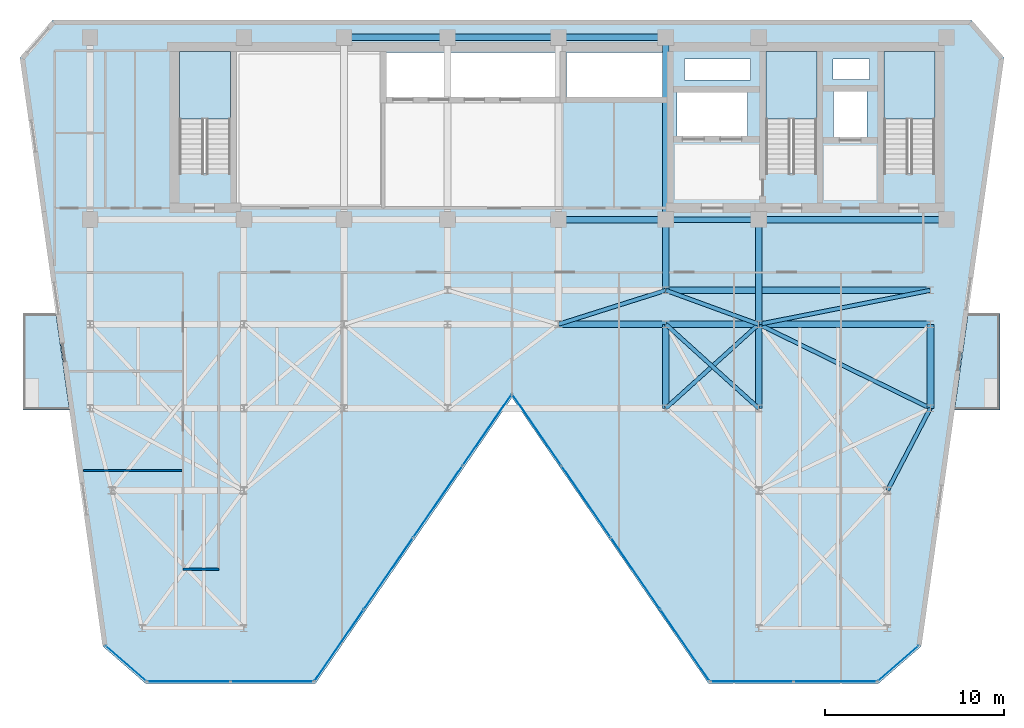
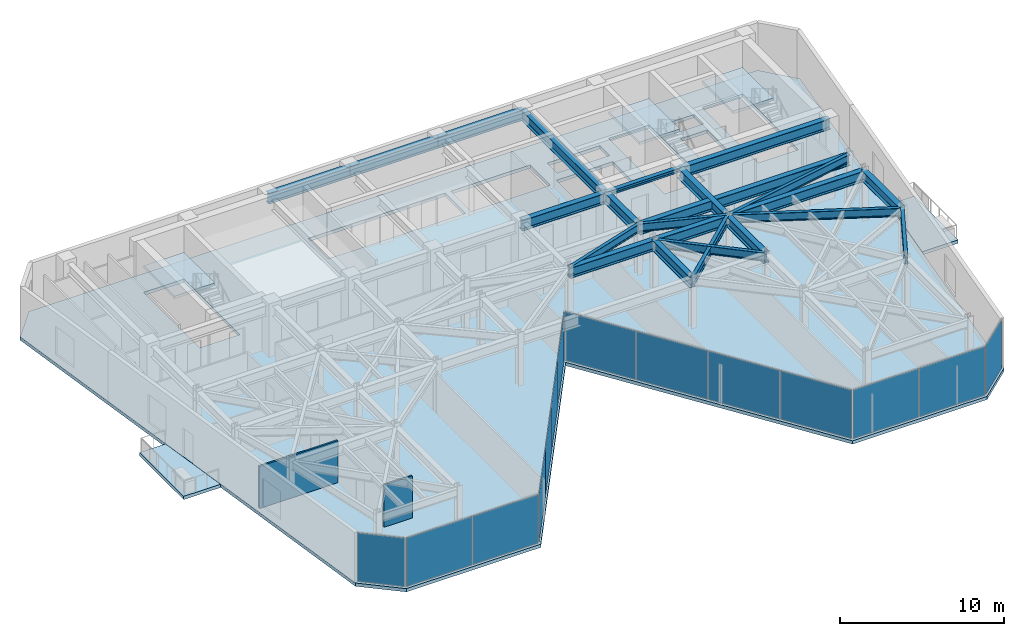
# One storey, part 15 of 21: 23 beams, 14 plates, 6 slabs, 2 walls, 9 elements without a shape of their own.
"""IFC4 building model written with IfcOpenShell, lengths in metres."""

from ifc_helpers import new_model, si_unit, direction, frame, frame_2d, origin, origin_2d, place, context, subcontext, project, spatial, polyline, rectangle, i_section, outline, extrude, material, layer, layer_set, material_profile, profile_set, type_object, element, aggregate, save


model = new_model("IFC4")

# Units and contexts
model_context = context("Model", 3, precision=1e-05, world=origin(), true_north=direction((0.0, 1.0)))
body_context = subcontext(model_context, "Body", "Model", "MODEL_VIEW")
ifc_project = project(units=[si_unit("LENGTHUNIT", "METRE"), si_unit("AREAUNIT", "SQUARE_METRE"), si_unit("VOLUMEUNIT", "CUBIC_METRE"), si_unit("PLANEANGLEUNIT", "RADIAN"), si_unit("MASSUNIT", "GRAM", prefix="KILO")], contexts=[model_context])

# Site, building, storey
site_placement = place(None, origin())
site = spatial("IfcSite", under=ifc_project, at=site_placement, CompositionType="ELEMENT")
building_placement = place(site_placement, origin())
building = spatial("IfcBuilding", under=site, at=building_placement, Name="Kravanh Interchange Tower", CompositionType="ELEMENT")
storey_placement = place(building_placement, frame((0.0, 0.0, 216.5)))
storey = spatial("IfcBuildingStorey", under=building, at=storey_placement, Name="L52", CompositionType="ELEMENT", Elevation=216.5)

# Beams
ifc_material_1 = material(Name="Structural Steel S355", Category="steel")
ifc_material_profile_1 = material_profile(ifc_material_1, i_section(OverallWidth=0.381103515625, OverallDepth=0.77294921875, WebThickness=0.0166015625, FlangeThickness=0.027099609375, FilletRadius=0.02490234375, at=origin_2d()), Name="W30X173")
ifc_profile_set_1 = profile_set([ifc_material_profile_1], Name="Structural Steel S355")
beam_type_1 = type_object("IfcBeamType", Name="Floor Beam W30X173 Structural Steel S355", PredefinedType="BEAM", material=ifc_profile_set_1)
beam_1_placement = place(storey_placement, frame((66.5, 37.35009765625, 3.3583984375), z_axis=(-1.0, 0.0, 0.0), x_axis=(0.0, -1.0, 0.0)))
element("IfcBeam", 1, at=beam_1_placement, inside=storey, type_object=beam_type_1, Name="L52 Primary Floor Girder 5", PredefinedType="BEAM", context=body_context, shape_type="SweptSolid", body=[
    extrude(i_section(OverallWidth=0.381103515625, OverallDepth=0.77294921875, WebThickness=0.0166015625, FlangeThickness=0.027099609375, FilletRadius=0.02490234375, at=origin_2d()), origin(), (0.0, 0.0, 1.0), 10.5),
])
beam_2_placement = place(storey_placement, frame((56.0, 37.35009765625, 3.3583984375), z_axis=(0.0, -1.0, 0.0), x_axis=(1.0, 0.0, 0.0)))
element("IfcBeam", 2, at=beam_2_placement, inside=storey, type_object=beam_type_1, Name="L52 Primary Floor Girder 7", PredefinedType="BEAM", context=body_context, shape_type="SweptSolid", body=[
    extrude(i_section(OverallWidth=0.381103515625, OverallDepth=0.77294921875, WebThickness=0.0166015625, FlangeThickness=0.027099609375, FilletRadius=0.02490234375, at=origin_2d()), origin(), (0.0, 0.0, 1.0), 5.85009765625),
])
beam_3_placement = place(storey_placement, frame((50.800048828125, 47.550048828125, 3.3583984375), z_axis=(-1.0, 0.0, 0.0), x_axis=(0.0, -1.0, 0.0)))
element("IfcBeam", 3, at=beam_3_placement, inside=storey, type_object=beam_type_1, Name="L52 Primary Floor Girder 8", PredefinedType="BEAM", context=body_context, shape_type="SweptSolid", body=[
    extrude(i_section(OverallWidth=0.381103515625, OverallDepth=0.77294921875, WebThickness=0.0166015625, FlangeThickness=0.027099609375, FilletRadius=0.02490234375, at=origin_2d()), origin(), (0.0, 0.0, 1.0), 6.0),
])
beam_4_placement = place(storey_placement, frame((50.800048828125, 47.550048828125, 3.3583984375), z_axis=(0.0, -1.0, 0.0), x_axis=(1.0, 0.0, 0.0)))
element("IfcBeam", 4, at=beam_4_placement, inside=storey, type_object=beam_type_1, Name="L52 Primary Floor Girder 9", PredefinedType="BEAM", context=body_context, shape_type="SweptSolid", body=[
    extrude(i_section(OverallWidth=0.381103515625, OverallDepth=0.77294921875, WebThickness=0.0166015625, FlangeThickness=0.027099609375, FilletRadius=0.02490234375, at=origin_2d()), origin(), (0.0, 0.0, 1.0), 10.199951171875),
])
beam_5_placement = place(storey_placement, frame((50.800048828125, 37.35009765625, 3.3583984375), z_axis=(0.0, -1.0, 0.0), x_axis=(1.0, 0.0, 0.0)))
element("IfcBeam", 5, at=beam_5_placement, inside=storey, type_object=beam_type_1, Name="L52 Primary Floor Girder 10", PredefinedType="BEAM", context=body_context, shape_type="SweptSolid", body=[
    extrude(i_section(OverallWidth=0.381103515625, OverallDepth=0.77294921875, WebThickness=0.0166015625, FlangeThickness=0.027099609375, FilletRadius=0.02490234375, at=origin_2d()), origin(), (0.0, 0.0, 1.0), 3.9501953125),
])
beam_6_placement = place(storey_placement, frame((50.800048828125, 37.35009765625, 3.3583984375), z_axis=(-1.0, 0.0, 0.0), x_axis=(0.0, -1.0, 0.0)))
element("IfcBeam", 6, at=beam_6_placement, inside=storey, type_object=beam_type_1, Name="L52 Primary Floor Girder 11", PredefinedType="BEAM", context=body_context, shape_type="SweptSolid", body=[
    extrude(i_section(OverallWidth=0.381103515625, OverallDepth=0.77294921875, WebThickness=0.0166015625, FlangeThickness=0.027099609375, FilletRadius=0.02490234375, at=origin_2d()), origin(), (0.0, 0.0, 1.0), 6.0),
])
beam_7_placement = place(storey_placement, frame((44.800048828125, 47.550048828125, 3.3583984375), z_axis=(-1.0, 0.0, 0.0), x_axis=(0.0, -1.0, 0.0)))
element("IfcBeam", 7, at=beam_7_placement, inside=storey, type_object=beam_type_1, Name="L52 Primary Floor Girder 15", PredefinedType="BEAM", context=body_context, shape_type="SweptSolid", body=[
    extrude(i_section(OverallWidth=0.381103515625, OverallDepth=0.77294921875, WebThickness=0.0166015625, FlangeThickness=0.027099609375, FilletRadius=0.02490234375, at=origin_2d()), origin(), (0.0, 0.0, 1.0), 6.199951171875),
])
beam_8_placement = place(storey_placement, frame((38.60009765625, 47.550048828125, 3.3583984375), z_axis=(-1.0, 0.0, 0.0), x_axis=(0.0, -1.0, 0.0)))
element("IfcBeam", 8, at=beam_8_placement, inside=storey, type_object=beam_type_1, Name="L52 Primary Floor Girder 19", PredefinedType="BEAM", context=body_context, shape_type="SweptSolid", body=[
    extrude(i_section(OverallWidth=0.381103515625, OverallDepth=0.77294921875, WebThickness=0.0166015625, FlangeThickness=0.027099609375, FilletRadius=0.02490234375, at=origin_2d()), origin(), (0.0, 0.0, 1.0), 5.800048828125),
])
for number, where, z_axis, x_axis, name in (
    (9, (50.800048828125, 26.800048828125, 3.3583984375), (0.0, 1.0, 0.0), (-1.0, 0.0, 0.0), "L52 Primary Floor Girder 49"),
    (10, (56.0, 26.800048828125, 3.3583984375), (0.0, 1.0, 0.0), (-1.0, 0.0, 0.0), "L52 Primary Floor Girder 54"),
    (11, (65.60009765625, 26.800048828125, 3.3583984375), (0.0, 1.0, 0.0), (-1.0, 0.0, 0.0), "L52 Primary Floor Girder 57"),
):
    element("IfcBeam", number, at=place(storey_placement, frame(where, z_axis=z_axis, x_axis=x_axis)), inside=storey, type_object=beam_type_1, Name=name, PredefinedType="BEAM", context=body_context, shape_type="SweptSolid", body=[
        extrude(i_section(OverallWidth=0.381103515625, OverallDepth=0.77294921875, WebThickness=0.0166015625, FlangeThickness=0.027099609375, FilletRadius=0.02490234375, at=origin_2d()), origin(), (0.0, 0.0, 1.0), 4.699951171875),
    ])
beam_9_placement = place(storey_placement, frame((44.800048828125, 31.5, 3.3583984375), z_axis=(1.0, 0.0, 0.0), x_axis=(0.0, 1.0, 0.0)))
element("IfcBeam", 12, at=beam_9_placement, inside=storey, type_object=beam_type_1, Name="L52 Primary Floor Girder 74", PredefinedType="BEAM", context=body_context, shape_type="SweptSolid", body=[
    extrude(i_section(OverallWidth=0.381103515625, OverallDepth=0.77294921875, WebThickness=0.0166015625, FlangeThickness=0.027099609375, FilletRadius=0.02490234375, at=origin_2d()), origin(), (0.0, 0.0, 1.0), 6.0),
])
beam_10_placement = place(storey_placement, frame((50.800048828125, 31.5, 3.3583984375), z_axis=(1.0, 0.0, 0.0), x_axis=(0.0, 1.0, 0.0)))
element("IfcBeam", 13, at=beam_10_placement, inside=storey, type_object=beam_type_1, Name="L52 Primary Floor Girder 77", PredefinedType="BEAM", context=body_context, shape_type="SweptSolid", body=[
    extrude(i_section(OverallWidth=0.381103515625, OverallDepth=0.77294921875, WebThickness=0.0166015625, FlangeThickness=0.027099609375, FilletRadius=0.02490234375, at=origin_2d()), origin(), (0.0, 0.0, 1.0), 5.199951171875),
])
beam_11_placement = place(storey_placement, frame((56.0, 31.5, 3.3583984375), z_axis=(1.0, 0.0, 0.0), x_axis=(0.0, 1.0, 0.0)))
element("IfcBeam", 14, at=beam_11_placement, inside=storey, type_object=beam_type_1, Name="L52 Primary Floor Girder 81", PredefinedType="BEAM", context=body_context, shape_type="SweptSolid", body=[
    extrude(i_section(OverallWidth=0.381103515625, OverallDepth=0.77294921875, WebThickness=0.0166015625, FlangeThickness=0.027099609375, FilletRadius=0.02490234375, at=origin_2d()), origin(), (0.0, 0.0, 1.0), 9.60009765625),
])
beam_12_placement = place(storey_placement, frame((50.800048828125, 33.39990234375, 3.3583984375), z_axis=(1.0, 0.0, 0.0), x_axis=(0.0, 1.0, 0.0)))
element("IfcBeam", 15, at=beam_12_placement, inside=storey, type_object=beam_type_1, Name="L52 Primary Floor Girder 95", PredefinedType="BEAM", context=body_context, shape_type="SweptSolid", body=[
    extrude(i_section(OverallWidth=0.381103515625, OverallDepth=0.77294921875, WebThickness=0.0166015625, FlangeThickness=0.027099609375, FilletRadius=0.02490234375, at=origin_2d()), origin(), (0.0, 0.0, 1.0), 14.800048828125),
])
ifc_material_2 = material(Name="Structural Steel S355", Category="steel")
ifc_material_profile_2 = material_profile(ifc_material_2, i_section(OverallWidth=0.304931640625, OverallDepth=0.306884765625, WebThickness=0.010009765625, FlangeThickness=0.015380859375, FilletRadius=0.014892578125, at=origin_2d()), Name="W12X65")
ifc_profile_set_2 = profile_set([ifc_material_profile_2], Name="Structural Steel S355")
beam_type_2 = type_object("IfcBeamType", Name="Floor Lintel W12X65 Structural Steel S355", PredefinedType="LINTEL", material=ifc_profile_set_2)
beam_13_placement = place(storey_placement, frame((50.800048828125, 37.35009765625, 3.591552734375), z_axis=(1.0, 0.0, 0.0), x_axis=(0.0, 1.0, 0.0)))
element("IfcBeam", 16, at=beam_13_placement, inside=storey, type_object=beam_type_2, Name="L52 Core Coupling Lintel 1", PredefinedType="LINTEL", context=body_context, shape_type="SweptSolid", body=[
    extrude(i_section(OverallWidth=0.304931640625, OverallDepth=0.306884765625, WebThickness=0.010009765625, FlangeThickness=0.015380859375, FilletRadius=0.014892578125, at=origin_2d()), origin(), (0.0, 0.0, 1.0), 5.199951171875),
])
ifc_material_3 = material(Name="Structural Steel S355", Category="steel")
ifc_material_profile_3 = material_profile(ifc_material_3, i_section(OverallWidth=0.22802734375, OverallDepth=0.60791015625, WebThickness=0.01123046875, FlangeThickness=0.017333984375, FilletRadius=0.02197265625, at=origin_2d()), Name="W24X76")
ifc_profile_set_3 = profile_set([ifc_material_profile_3], Name="Structural Steel S355")
beam_type_3 = type_object("IfcBeamType", Name="Floor Spandrel W24X76 Structural Steel S355", PredefinedType="SPANDREL", material=ifc_profile_set_3)
for number, where, z_axis, x_axis, name in (
    (17, (50.800048828125, 26.800048828125, 3.44091796875), (0.741874009795, 0.670539300557, 0.0), (-0.670539300557, 0.741874009795, 0.0), "L52 Perimeter Spandrel 52"),
    (18, (56.0, 26.800048828125, 3.44091796875), (-0.741874009795, 0.670539300557, 0.0), (-0.670539300557, -0.741874009795, 0.0), "L52 Perimeter Spandrel 55"),
):
    element("IfcBeam", number, at=place(storey_placement, frame(where, z_axis=z_axis, x_axis=x_axis)), inside=storey, type_object=beam_type_3, Name=name, PredefinedType="SPANDREL", context=body_context, shape_type="SweptSolid", body=[
        extrude(i_section(OverallWidth=0.22802734375, OverallDepth=0.60791015625, WebThickness=0.01123046875, FlangeThickness=0.017333984375, FilletRadius=0.02197265625, at=origin_2d()), origin(), (0.0, 0.0, 1.0), 7.00927734375),
    ])
beam_14_placement = place(storey_placement, frame((65.60009765625, 26.800048828125, 3.44091796875), z_axis=(-0.462580479178, -0.886577295155, 0.0), x_axis=(0.886577295155, -0.462580479178, 0.0)))
element("IfcBeam", 19, at=beam_14_placement, inside=storey, type_object=beam_type_3, Name="L52 Perimeter Spandrel 58", PredefinedType="SPANDREL", context=body_context, shape_type="SweptSolid", body=[
    extrude(i_section(OverallWidth=0.22802734375, OverallDepth=0.60791015625, WebThickness=0.01123046875, FlangeThickness=0.017333984375, FilletRadius=0.02197265625, at=origin_2d()), origin(), (0.0, 0.0, 1.0), 5.188720703125),
])
beam_15_placement = place(storey_placement, frame((65.60009765625, 26.800048828125, 3.44091796875), z_axis=(-0.898141688387, 0.439706160499, 0.0), x_axis=(-0.439706160499, -0.898141688387, 0.0)))
element("IfcBeam", 20, at=beam_15_placement, inside=storey, type_object=beam_type_3, Name="L52 Perimeter Spandrel 60", PredefinedType="SPANDREL", context=body_context, shape_type="SweptSolid", body=[
    extrude(i_section(OverallWidth=0.22802734375, OverallDepth=0.60791015625, WebThickness=0.01123046875, FlangeThickness=0.017333984375, FilletRadius=0.02197265625, at=origin_2d()), origin(), (0.0, 0.0, 1.0), 10.68896484375),
])
beam_16_placement = place(storey_placement, frame((44.800048828125, 31.5, 3.44091796875), z_axis=(0.953346691051, 0.301877602122, 0.0), x_axis=(-0.301877602122, 0.953346691051, 0.0)))
element("IfcBeam", 21, at=beam_16_placement, inside=storey, type_object=beam_type_3, Name="L52 Perimeter Spandrel 75", PredefinedType="SPANDREL", context=body_context, shape_type="SweptSolid", body=[
    extrude(i_section(OverallWidth=0.22802734375, OverallDepth=0.60791015625, WebThickness=0.01123046875, FlangeThickness=0.017333984375, FilletRadius=0.02197265625, at=origin_2d()), origin(), (0.0, 0.0, 1.0), 6.293701171875),
])
beam_17_placement = place(storey_placement, frame((56.0, 31.5, 3.44091796875), z_axis=(-0.93926957103, 0.343180233896, 0.0), x_axis=(-0.343180233896, -0.93926957103, 0.0)))
element("IfcBeam", 22, at=beam_17_placement, inside=storey, type_object=beam_type_3, Name="L52 Perimeter Spandrel 80", PredefinedType="SPANDREL", context=body_context, shape_type="SweptSolid", body=[
    extrude(i_section(OverallWidth=0.22802734375, OverallDepth=0.60791015625, WebThickness=0.01123046875, FlangeThickness=0.017333984375, FilletRadius=0.02197265625, at=origin_2d()), origin(), (0.0, 0.0, 1.0), 5.5361328125),
])
beam_18_placement = place(storey_placement, frame((56.0, 31.5, 3.44091796875), z_axis=(0.980974000807, 0.194139150457, 0.0), x_axis=(-0.194139150457, 0.980974000807, 0.0)))
element("IfcBeam", 23, at=beam_18_placement, inside=storey, type_object=beam_type_3, Name="L52 Perimeter Spandrel 82", PredefinedType="SPANDREL", context=body_context, shape_type="SweptSolid", body=[
    extrude(i_section(OverallWidth=0.22802734375, OverallDepth=0.60791015625, WebThickness=0.01123046875, FlangeThickness=0.017333984375, FilletRadius=0.02197265625, at=origin_2d()), origin(), (0.0, 0.0, 1.0), 9.786376953125),
])

# Slab
ifc_material_4 = material(Name="Concrete C50/60", Category="concrete")
ifc_layer_1 = layer(ifc_material_4, 0.2451171875)
ifc_layer_set_1 = layer_set([ifc_layer_1], Name="Composite Floor Slab Concrete C50/60 245mm")
slab_type_1 = type_object("IfcSlabType", Name="Composite Floor Slab Concrete C50/60 245mm", PredefinedType="FLOOR", material=ifc_layer_set_1)
slab_1_placement = place(storey_placement, frame((0.0, 0.0, -0.2451171875)))
element("IfcSlab", 24, at=slab_1_placement, inside=storey, type_object=slab_type_1, Name="L52 Structural Floor Slab", PredefinedType="FLOOR", context=body_context, shape_type="SweptSolid", body=[
    extrude(outline(polyline([(19.32177734375, 13.4794921875), (21.714111328125, 11.39990234375), (31.199951171875, 11.39990234375), (42.199951171875, 27.39990234375), (53.199951171875, 11.39990234375), (62.685791015625, 11.39990234375), (65.078125, 13.4794921875), (69.707763671875, 46.42041015625), (67.89990234375, 48.5), (16.5, 48.5), (14.6923828125, 46.42041015625), (19.32177734375, 13.4794921875)]), holes=[polyline([(65.85009765625, 39.925048828125), (65.85009765625, 46.75), (63.0, 46.75), (63.0, 39.925048828125), (65.85009765625, 39.925048828125)]), polyline([(59.25, 39.925048828125), (59.25, 46.75), (56.39990234375, 46.75), (56.39990234375, 39.925048828125), (59.25, 39.925048828125)]), polyline([(26.449951171875, 39.925048828125), (26.449951171875, 46.75), (23.60009765625, 46.75), (23.60009765625, 39.925048828125), (26.449951171875, 39.925048828125)]), polyline([(35.179931640625, 44.219970703125), (44.840087890625, 44.219970703125), (44.840087890625, 46.699951171875), (35.179931640625, 46.699951171875), (35.179931640625, 44.219970703125)]), polyline([(45.239990234375, 44.219970703125), (50.840087890625, 44.219970703125), (50.840087890625, 46.699951171875), (45.239990234375, 46.699951171875), (45.239990234375, 44.219970703125)]), polyline([(51.419921875, 42.02001953125), (55.3798828125, 42.02001953125), (55.3798828125, 44.47998046875), (51.419921875, 44.47998046875), (51.419921875, 42.02001953125)]), polyline([(60.179931640625, 41.97998046875), (62.06005859375, 41.97998046875), (62.06005859375, 44.52001953125), (60.179931640625, 44.52001953125), (60.179931640625, 41.97998046875)]), polyline([(60.14990234375, 45.199951171875), (62.199951171875, 45.199951171875), (62.199951171875, 46.35009765625), (60.14990234375, 46.35009765625), (60.14990234375, 45.199951171875)]), polyline([(51.85009765625, 45.14990234375), (55.550048828125, 45.14990234375), (55.550048828125, 46.35009765625), (51.85009765625, 46.35009765625), (51.85009765625, 45.14990234375)])]), origin(), (0.0, 0.0, 1.0), 0.2451171875),
])

# Stair, slab
ifc_material_5 = material(Name="Concrete C50/60", Category="concrete")
stair_type = type_object("IfcStairType", Name="Core Fire Exit Dogleg Stair Concrete C50/60", PredefinedType="HALF_TURN_STAIR", material=ifc_material_5)
stair_1_placement = place(storey_placement, origin())
stair_1 = element("IfcStair", 25, at=stair_1_placement, inside=storey, type_object=stair_type, Name="L52 Exit Stair ST1", PredefinedType="HALF_TURN_STAIR")
ifc_material_6 = material(Name="Concrete C50/60", Category="concrete")
ifc_layer_2 = layer(ifc_material_6, 0.199951171875)
ifc_layer_set_2 = layer_set([ifc_layer_2], Name="Concrete C50/60 Stair Half-Landing Slab 200mm")
slab_type_2 = type_object("IfcSlabType", Name="Concrete C50/60 Stair Half-Landing Slab 200mm", PredefinedType="LANDING", material=ifc_layer_set_2)
slab_2_placement = place(storey_placement, frame((0.0, 0.0, 1.800048828125)))
slab_2 = element("IfcSlab", 26, at=slab_2_placement, type_object=slab_type_2, Name="ST1 landing 1", PredefinedType="LANDING", context=body_context, shape_type="SweptSolid", body=[
    extrude(outline(polyline([(65.85009765625, 42.97998046875), (65.85009765625, 46.75), (63.0, 46.75), (63.0, 42.97998046875), (65.85009765625, 42.97998046875)])), origin(), (0.0, 0.0, 1.0), 0.199951171875),
])
aggregate(stair_1, [slab_2])

stair_2_placement = place(storey_placement, origin())
stair_2 = element("IfcStair", 27, at=stair_2_placement, inside=storey, type_object=stair_type, Name="L52 Exit Stair ST2", PredefinedType="HALF_TURN_STAIR")
slab_3_placement = place(storey_placement, frame((0.0, 0.0, 1.800048828125)))
slab_3 = element("IfcSlab", 28, at=slab_3_placement, type_object=slab_type_2, Name="ST2 landing 1", PredefinedType="LANDING", context=body_context, shape_type="SweptSolid", body=[
    extrude(outline(polyline([(59.25, 42.97998046875), (59.25, 46.75), (56.39990234375, 46.75), (56.39990234375, 42.97998046875), (59.25, 42.97998046875)])), origin(), (0.0, 0.0, 1.0), 0.199951171875),
])
aggregate(stair_2, [slab_3])

stair_3_placement = place(storey_placement, origin())
stair_3 = element("IfcStair", 29, at=stair_3_placement, inside=storey, type_object=stair_type, Name="L52 Exit Stair ST3", PredefinedType="HALF_TURN_STAIR")
slab_4_placement = place(storey_placement, frame((0.0, 0.0, 1.800048828125)))
slab_4 = element("IfcSlab", 30, at=slab_4_placement, type_object=slab_type_2, Name="ST3 landing 1", PredefinedType="LANDING", context=body_context, shape_type="SweptSolid", body=[
    extrude(outline(polyline([(26.449951171875, 42.97998046875), (26.449951171875, 46.75), (23.60009765625, 46.75), (23.60009765625, 42.97998046875), (26.449951171875, 42.97998046875)])), origin(), (0.0, 0.0, 1.0), 0.199951171875),
])
aggregate(stair_3, [slab_4])

# Curtain wall, plate
ifc_material_7 = material(Name="Anodised Bronze Aluminium", Category="aluminium")
ifc_layer_3 = layer(ifc_material_7, 0.179931640625)
ifc_layer_set_3 = layer_set([ifc_layer_3], Name="Unitised Curtain Wall System CW-Z3 Upper Office")
curtain_wall_type = type_object("IfcCurtainWallType", Name="Unitised Curtain Wall System CW-Z3 Upper Office", PredefinedType="NOTDEFINED", material=ifc_layer_set_3)
curtain_wall_1_placement = place(storey_placement, origin())
curtain_wall_1 = element("IfcCurtainWall", 31, at=curtain_wall_1_placement, inside=storey, type_object=curtain_wall_type, Name="L52 Unitised Curtain Wall CW-L52-01", PredefinedType="NOTDEFINED")
ifc_material_8 = material(Name="Low-E Laminated Architectural Glass", Category="glass")
ifc_layer_4 = layer(ifc_material_8, 0.02392578125)
ifc_layer_set_4 = layer_set([ifc_layer_4], Name="High-Selectivity Double Glazing 24mm")
plate_type = type_object("IfcPlateType", Name="High-Selectivity Double Glazing 24mm", PredefinedType="CURTAIN_PANEL", material=ifc_layer_set_4)
plate_1_placement = place(storey_placement, frame((63.80322265625, 12.5302734375, 0.06005859375), z_axis=(0.0, 0.0, 1.0), x_axis=(-0.754716645379, -0.65605090137, 0.0)))
plate_1 = element("IfcPlate", 32, at=plate_1_placement, type_object=plate_type, Name="CW-Z3 panel 1.1", PredefinedType="CURTAIN_PANEL", context=body_context, shape_type="SweptSolid", body=[
    extrude(rectangle(XDim=2.960205078125, YDim=0.02392578125, at=origin_2d()), origin(), (0.0, 0.0, 1.0), 3.625),
])
aggregate(curtain_wall_1, [plate_1])

# Curtain wall, plates
curtain_wall_2_placement = place(storey_placement, origin())
curtain_wall_2 = element("IfcCurtainWall", 33, at=curtain_wall_2_placement, inside=storey, type_object=curtain_wall_type, Name="L52 Unitised Curtain Wall CW-L52-02", PredefinedType="NOTDEFINED")
plate_2_placement = place(storey_placement, frame((60.281494140625, 11.52001953125, 0.06005859375), z_axis=(0.0, 0.0, 1.0), x_axis=(-1.0, 0.0, 0.0)))
plate_2 = element("IfcPlate", 34, at=plate_2_placement, type_object=plate_type, Name="CW-Z3 panel 1.1", PredefinedType="CURTAIN_PANEL", context=body_context, shape_type="SweptSolid", body=[
    extrude(rectangle(XDim=4.598876953125, YDim=0.02392578125, at=origin_2d()), origin(), (0.0, 0.0, 1.0), 3.625),
])
plate_3_placement = place(storey_placement, frame((55.62255859375, 11.52001953125, 0.06005859375), z_axis=(0.0, 0.0, 1.0), x_axis=(-1.0, 0.0, 0.0)))
plate_3 = element("IfcPlate", 35, at=plate_3_placement, type_object=plate_type, Name="CW-Z3 panel 2.1", PredefinedType="CURTAIN_PANEL", context=body_context, shape_type="SweptSolid", body=[
    extrude(rectangle(XDim=4.598876953125, YDim=0.02392578125, at=origin_2d()), origin(), (0.0, 0.0, 1.0), 3.625),
])
aggregate(curtain_wall_2, [plate_2, plate_3])

curtain_wall_3_placement = place(storey_placement, origin())
curtain_wall_3 = element("IfcCurtainWall", 36, at=curtain_wall_3_placement, inside=storey, type_object=curtain_wall_type, Name="L52 Unitised Curtain Wall CW-L52-03", PredefinedType="NOTDEFINED")
plate_4_placement = place(storey_placement, frame((51.871826171875, 13.5439453125, 0.06005859375), z_axis=(0.0, 0.0, 1.0), x_axis=(-0.566528388217, 0.824042223035, 0.0)))
plate_4 = element("IfcPlate", 37, at=plate_4_placement, type_object=plate_type, Name="CW-Z3 panel 1.1", PredefinedType="CURTAIN_PANEL", context=body_context, shape_type="SweptSolid", body=[
    extrude(rectangle(XDim=4.7919921875, YDim=0.02392578125, at=origin_2d()), origin(), (0.0, 0.0, 1.0), 3.625),
])
plate_5_placement = place(storey_placement, frame((49.114501953125, 17.554443359375, 0.06005859375), z_axis=(0.0, 0.0, 1.0), x_axis=(-0.566528388217, 0.824042223035, 0.0)))
plate_5 = element("IfcPlate", 38, at=plate_5_placement, type_object=plate_type, Name="CW-Z3 panel 2.1", PredefinedType="CURTAIN_PANEL", context=body_context, shape_type="SweptSolid", body=[
    extrude(rectangle(XDim=4.822021484375, YDim=0.02392578125, at=origin_2d()), origin(), (0.0, 0.0, 1.0), 3.625),
])
plate_6_placement = place(storey_placement, frame((46.3486328125, 21.577392578125, 0.06005859375), z_axis=(0.0, 0.0, 1.0), x_axis=(-0.566528388217, 0.824042223035, 0.0)))
plate_6 = element("IfcPlate", 39, at=plate_6_placement, type_object=plate_type, Name="CW-Z3 panel 3.1", PredefinedType="CURTAIN_PANEL", context=body_context, shape_type="SweptSolid", body=[
    extrude(rectangle(XDim=4.822021484375, YDim=0.02392578125, at=origin_2d()), origin(), (0.0, 0.0, 1.0), 3.625),
])
plate_7_placement = place(storey_placement, frame((43.59130859375, 25.587890625, 0.06005859375), z_axis=(0.0, 0.0, 1.0), x_axis=(-0.566528388217, 0.824042223035, 0.0)))
plate_7 = element("IfcPlate", 40, at=plate_7_placement, type_object=plate_type, Name="CW-Z3 panel 4.1", PredefinedType="CURTAIN_PANEL", context=body_context, shape_type="SweptSolid", body=[
    extrude(rectangle(XDim=4.7919921875, YDim=0.02392578125, at=origin_2d()), origin(), (0.0, 0.0, 1.0), 3.625),
])
aggregate(curtain_wall_3, [plate_4, plate_5, plate_6, plate_7])

curtain_wall_4_placement = place(storey_placement, origin())
curtain_wall_4 = element("IfcCurtainWall", 41, at=curtain_wall_4_placement, inside=storey, type_object=curtain_wall_type, Name="L52 Unitised Curtain Wall CW-L52-04", PredefinedType="NOTDEFINED")
plate_8_placement = place(storey_placement, frame((40.80859375, 25.587890625, 0.06005859375), z_axis=(0.0, 0.0, 1.0), x_axis=(-0.566528388217, -0.824042223035, 0.0)))
plate_8 = element("IfcPlate", 42, at=plate_8_placement, type_object=plate_type, Name="CW-Z3 panel 1.1", PredefinedType="CURTAIN_PANEL", context=body_context, shape_type="SweptSolid", body=[
    extrude(rectangle(XDim=4.7919921875, YDim=0.02392578125, at=origin_2d()), origin(), (0.0, 0.0, 1.0), 3.625),
])
plate_9_placement = place(storey_placement, frame((38.05126953125, 21.577392578125, 0.06005859375), z_axis=(0.0, 0.0, 1.0), x_axis=(-0.566528388217, -0.824042223035, 0.0)))
plate_9 = element("IfcPlate", 43, at=plate_9_placement, type_object=plate_type, Name="CW-Z3 panel 2.1", PredefinedType="CURTAIN_PANEL", context=body_context, shape_type="SweptSolid", body=[
    extrude(rectangle(XDim=4.822021484375, YDim=0.02392578125, at=origin_2d()), origin(), (0.0, 0.0, 1.0), 3.625),
])
plate_10_placement = place(storey_placement, frame((35.28564453125, 17.554443359375, 0.06005859375), z_axis=(0.0, 0.0, 1.0), x_axis=(-0.566528388217, -0.824042223035, 0.0)))
plate_10 = element("IfcPlate", 44, at=plate_10_placement, type_object=plate_type, Name="CW-Z3 panel 3.1", PredefinedType="CURTAIN_PANEL", context=body_context, shape_type="SweptSolid", body=[
    extrude(rectangle(XDim=4.822021484375, YDim=0.02392578125, at=origin_2d()), origin(), (0.0, 0.0, 1.0), 3.625),
])
plate_11_placement = place(storey_placement, frame((32.5283203125, 13.5439453125, 0.06005859375), z_axis=(0.0, 0.0, 1.0), x_axis=(-0.566528388217, -0.824042223035, 0.0)))
plate_11 = element("IfcPlate", 45, at=plate_11_placement, type_object=plate_type, Name="CW-Z3 panel 4.1", PredefinedType="CURTAIN_PANEL", context=body_context, shape_type="SweptSolid", body=[
    extrude(rectangle(XDim=4.7919921875, YDim=0.02392578125, at=origin_2d()), origin(), (0.0, 0.0, 1.0), 3.625),
])
aggregate(curtain_wall_4, [plate_8, plate_9, plate_10, plate_11])

curtain_wall_5_placement = place(storey_placement, origin())
curtain_wall_5 = element("IfcCurtainWall", 46, at=curtain_wall_5_placement, inside=storey, type_object=curtain_wall_type, Name="L52 Unitised Curtain Wall CW-L52-05", PredefinedType="NOTDEFINED")
plate_12_placement = place(storey_placement, frame((28.77734375, 11.52001953125, 0.06005859375), z_axis=(0.0, 0.0, 1.0), x_axis=(-1.0, 0.0, 0.0)))
plate_12 = element("IfcPlate", 47, at=plate_12_placement, type_object=plate_type, Name="CW-Z3 panel 1.1", PredefinedType="CURTAIN_PANEL", context=body_context, shape_type="SweptSolid", body=[
    extrude(rectangle(XDim=4.598876953125, YDim=0.02392578125, at=origin_2d()), origin(), (0.0, 0.0, 1.0), 3.625),
])
plate_13_placement = place(storey_placement, frame((24.118408203125, 11.52001953125, 0.06005859375), z_axis=(0.0, 0.0, 1.0), x_axis=(-1.0, 0.0, 0.0)))
plate_13 = element("IfcPlate", 48, at=plate_13_placement, type_object=plate_type, Name="CW-Z3 panel 2.1", PredefinedType="CURTAIN_PANEL", context=body_context, shape_type="SweptSolid", body=[
    extrude(rectangle(XDim=4.598876953125, YDim=0.02392578125, at=origin_2d()), origin(), (0.0, 0.0, 1.0), 3.625),
])
aggregate(curtain_wall_5, [plate_12, plate_13])

# Curtain wall, plate
curtain_wall_6_placement = place(storey_placement, origin())
curtain_wall_6 = element("IfcCurtainWall", 49, at=curtain_wall_6_placement, inside=storey, type_object=curtain_wall_type, Name="L52 Unitised Curtain Wall CW-L52-06", PredefinedType="NOTDEFINED")
plate_14_placement = place(storey_placement, frame((20.5966796875, 12.5302734375, 0.06005859375), z_axis=(0.0, 0.0, 1.0), x_axis=(-0.754716645379, 0.65605090137, 0.0)))
plate_14 = element("IfcPlate", 50, at=plate_14_placement, type_object=plate_type, Name="CW-Z3 panel 1.1", PredefinedType="CURTAIN_PANEL", context=body_context, shape_type="SweptSolid", body=[
    extrude(rectangle(XDim=2.960205078125, YDim=0.02392578125, at=origin_2d()), origin(), (0.0, 0.0, 1.0), 3.625),
])
aggregate(curtain_wall_6, [plate_14])

# Slabs
ifc_material_9 = material(Name="Concrete C50/60", Category="concrete")
ifc_layer_5 = layer(ifc_material_9, 0.199951171875)
ifc_layer_set_5 = layer_set([ifc_layer_5], Name="Planted Tree Balcony Slab Concrete C50/60 200mm")
slab_type_3 = type_object("IfcSlabType", Name="Planted Tree Balcony Slab Concrete C50/60 200mm", PredefinedType="USERDEFINED", material=ifc_layer_set_5)
slab_5_placement = place(storey_placement, frame((0.0, 0.0, -0.2451171875)))
element("IfcSlab", 51, at=slab_5_placement, inside=storey, type_object=slab_type_3, Name="L52 East Tree Planter Balcony Slab", ObjectType="BALCONY", PredefinedType="USERDEFINED", context=body_context, shape_type="SweptSolid", body=[
    extrude(outline(polyline([(69.489990234375, 32.110107421875), (69.489990234375, 26.7099609375), (66.95263671875, 26.7099609375), (67.711669921875, 32.110107421875), (69.489990234375, 32.110107421875)])), origin(), (0.0, 0.0, 1.0), 0.2451171875),
])
slab_6_placement = place(storey_placement, frame((0.0, 0.0, -0.2451171875)))
element("IfcSlab", 52, at=slab_6_placement, inside=storey, type_object=slab_type_3, Name="L52 West Tree Planter Balcony Slab", ObjectType="BALCONY", PredefinedType="USERDEFINED", context=body_context, shape_type="SweptSolid", body=[
    extrude(outline(polyline([(14.85302734375, 26.7099609375), (14.85302734375, 32.110107421875), (16.688232421875, 32.110107421875), (17.447265625, 26.7099609375), (14.85302734375, 26.7099609375)])), origin(), (0.0, 0.0, 1.0), 0.2451171875),
])

# Walls
ifc_material_10 = material(Name="Double Acoustic Gypsum Board and Mineral Wool")
ifc_layer_6 = layer(ifc_material_10, 0.1201171875)
ifc_layer_set_6 = layer_set([ifc_layer_6], Name="Acoustic Office Drywall Partition 120mm")
wall_type = type_object("IfcWallType", Name="Acoustic Office Drywall Partition 120mm", PredefinedType="PARTITIONING", material=ifc_layer_set_6)
wall_1_placement = place(storey_placement, frame((23.800048828125, 17.800048828125, 0.0), z_axis=(0.0, 0.0, 1.0), x_axis=(1.0, 0.0, 0.0)))
element("IfcWall", 53, at=wall_1_placement, inside=storey, type_object=wall_type, Name="L52 Interior Partition 19", PredefinedType="PARTITIONING", context=body_context, shape_type="SweptSolid", body=[
    extrude(rectangle(XDim=2.0, YDim=0.1201171875, at=frame_2d((1.0, 0.0))), origin(), (0.0, 0.0, 1.0), 3.136962890625),
])
wall_2_placement = place(storey_placement, frame((18.22509765625, 23.330078125, 0.0), z_axis=(0.0, 0.0, 1.0), x_axis=(1.0, 0.0, 0.0)))
element("IfcWall", 54, at=wall_2_placement, inside=storey, type_object=wall_type, Name="L52 Interior Partition 20", PredefinedType="PARTITIONING", context=body_context, shape_type="SweptSolid", body=[
    extrude(rectangle(XDim=5.5068359375, YDim=0.1201171875, at=frame_2d((2.75341796875, 0.0))), origin(), (0.0, 0.0, 1.0), 3.136962890625),
])

save(model, "model.ifc")
